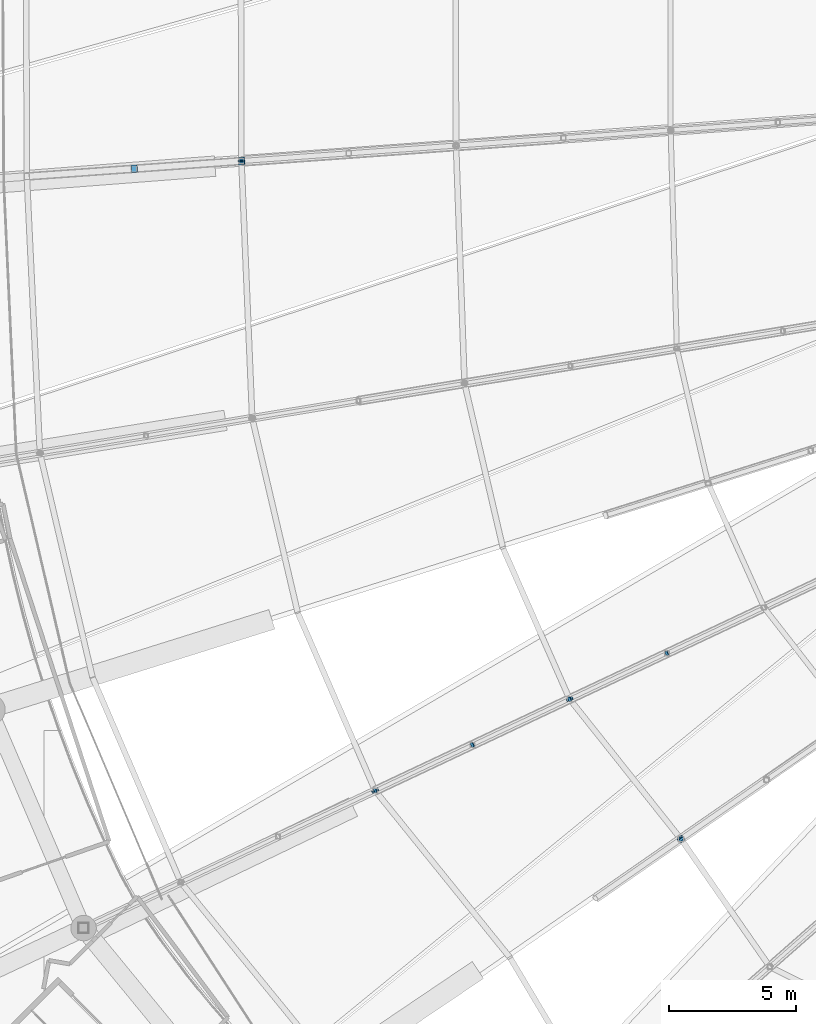
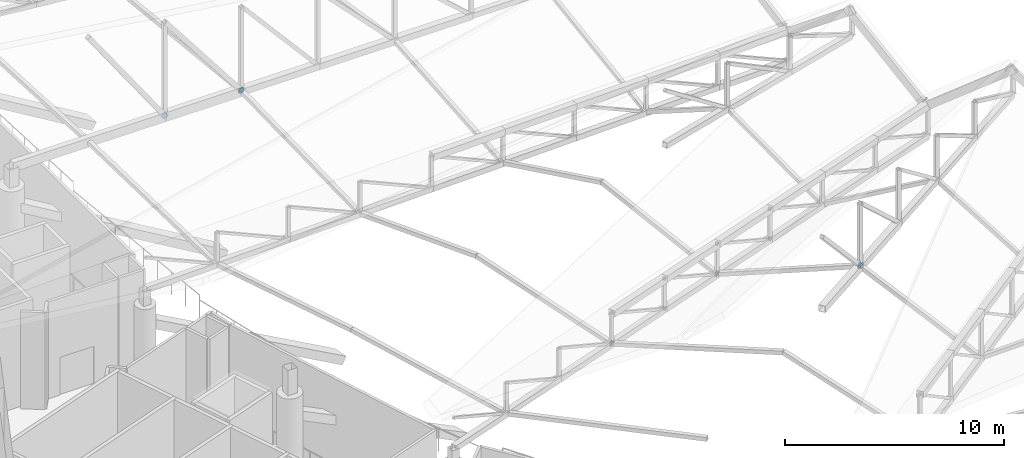
# One storey, part 280 of 344: 18 discrete accessories.
"""IFC4 building model written with IfcOpenShell, lengths in metres."""

from ifc_helpers import new_model, si_unit, direction, frame, origin, origin_2d, place, context, subcontext, project, spatial, rectangle, extrude, material, material_profile, profile_set, type_object, element, save


model = new_model("IFC4")

# Units and contexts
model_context = context("Model", 3, precision=1e-05, world=origin(), true_north=direction((0.0, 1.0)))
body_context = subcontext(model_context, "Body", "Model", "MODEL_VIEW")
ifc_project = project(units=[si_unit("LENGTHUNIT", "METRE"), si_unit("AREAUNIT", "SQUARE_METRE"), si_unit("VOLUMEUNIT", "CUBIC_METRE"), si_unit("PLANEANGLEUNIT", "RADIAN"), si_unit("MASSUNIT", "GRAM", prefix="KILO")], contexts=[model_context])

# Site, building, storey
site_placement = place(None, origin())
site = spatial("IfcSite", under=ifc_project, at=site_placement, CompositionType="ELEMENT")
building_placement = place(site_placement, origin())
building = spatial("IfcBuilding", under=site, at=building_placement, Name="Meseta Stadium", CompositionType="ELEMENT")
storey_placement = place(building_placement, frame((0.0, 0.0, 24.0)))
storey = spatial("IfcBuildingStorey", under=building, at=storey_placement, Name="L04", CompositionType="ELEMENT", Elevation=24.0)

# Discrete accessories
ifc_material_1 = material(Name="Steel S355", Category="steel")
ifc_material_profile_1 = material_profile(ifc_material_1, rectangle(XDim=0.179931640625, YDim=0.179931640625, at=origin_2d()), Name="PL 180x180")
ifc_profile_set_1 = profile_set([ifc_material_profile_1], Name="Steel S355")
discrete_accessory_type_1 = type_object("IfcDiscreteAccessoryType", Name="End plate 180x180x20", PredefinedType="ANCHORPLATE", material=ifc_profile_set_1)
discrete_accessory_1_placement = place(storey_placement, frame((-55.553955078125, -60.97265625, 5.543701171875), z_axis=(-0.802836314561, -0.382891165406, 0.456999132904), x_axis=(0.430472524882, -0.902603681203, 0.0)))
element("IfcDiscreteAccessory", 1, at=discrete_accessory_1_placement, inside=storey, type_object=discrete_accessory_type_1, Name="End plate of ROOF TRUSS RT-39 diagonal", PredefinedType="ANCHORPLATE", context=body_context, shape_type="SweptSolid", body=[
    extrude(rectangle(XDim=0.179931640625, YDim=0.179931640625, at=origin_2d()), origin(), (0.0, 0.0, 1.0), 0.019775390625),
])
for number, where, z_axis, x_axis, name in (
    (2, (-55.537841796875, -60.965087890625, 3.85498046875), (-0.807162077407, -0.379121581812, 0.452499952486), (0.425136471467, -0.905129261834, 0.0), "End plate of ROOF TRUSS RT-39 diagonal"),
    (3, (-59.369140625, -62.769775390625, 6.030517578125), (-0.802672654344, -0.377012913404, 0.462144861592), (0.425136471467, -0.905129261834, 0.0), "End plate of ROOF TRUSS RT-39 diagonal"),
    (4, (-59.35302734375, -62.76220703125, 4.341796875), (-0.802672654344, -0.377012913404, 0.462144861592), (0.425136471467, -0.905129261834, 0.0), "End plate of ROOF TRUSS RT-39 diagonal"),
    (5, (-63.184326171875, -64.567138671875, 6.517578125), (-0.807162077407, -0.379121581812, 0.452499952486), (0.425136471467, -0.905129261834, 0.0), "End plate of ROOF TRUSS RT-39 diagonal"),
    (6, (-63.168212890625, -64.5595703125, 4.82861328125), (-0.802672654344, -0.377012913404, 0.462144861592), (0.425136471467, -0.905129261834, 0.0), "End plate of ROOF TRUSS RT-39 diagonal"),
    (7, (-66.983642578125, -66.356689453125, 5.315673828125), (-0.807162077407, -0.379121581812, 0.452499952486), (0.425136471467, -0.905129261834, 0.0), "End plate of ROOF TRUSS RT-39 diagonal"),
):
    element("IfcDiscreteAccessory", number, at=place(storey_placement, frame(where, z_axis=z_axis, x_axis=x_axis)), inside=storey, type_object=discrete_accessory_type_1, Name=name, PredefinedType="ANCHORPLATE", context=body_context, shape_type="SweptSolid", body=[
        extrude(rectangle(XDim=0.179931640625, YDim=0.179931640625, at=origin_2d()), origin(), (0.0, 0.0, 1.0), 0.02001953125),
    ])
ifc_material_2 = material(Name="Steel S355", Category="steel")
ifc_material_profile_2 = material_profile(ifc_material_2, rectangle(XDim=0.239990234375, YDim=0.239990234375, at=origin_2d()), Name="PL 240x240")
ifc_profile_set_2 = profile_set([ifc_material_profile_2], Name="Steel S355")
discrete_accessory_type_2 = type_object("IfcDiscreteAccessoryType", Name="End plate 240x240x20", PredefinedType="ANCHORPLATE", material=ifc_profile_set_2)
discrete_accessory_2_placement = place(storey_placement, frame((-54.988525390625, -68.255859375, 6.590087890625), z_axis=(-0.573597420318, -0.390534413834, 0.720047825506), x_axis=(0.562790977082, -0.826599247589, 0.0)))
element("IfcDiscreteAccessory", 8, at=discrete_accessory_2_placement, inside=storey, type_object=discrete_accessory_type_2, Name="End plate of ROOF TRUSS RT-40 diagonal", PredefinedType="ANCHORPLATE", context=body_context, shape_type="SweptSolid", body=[
    extrude(rectangle(XDim=0.239990234375, YDim=0.239990234375, at=origin_2d()), origin(), (0.0, 0.0, 1.0), 0.02001953125),
])
ifc_material_3 = material(Name="Steel S355", Category="steel")
ifc_material_profile_3 = material_profile(ifc_material_3, rectangle(XDim=0.260009765625, YDim=0.260009765625, at=origin_2d()), Name="PL 260x260")
ifc_profile_set_3 = profile_set([ifc_material_profile_3], Name="Steel S355")
discrete_accessory_type_3 = type_object("IfcDiscreteAccessoryType", Name="End plate 260x260x20", PredefinedType="ANCHORPLATE", material=ifc_profile_set_3)
discrete_accessory_3_placement = place(storey_placement, frame((-72.25, -41.65234375, 6.268798828125), z_axis=(0.0, -0.994030677348, 0.109100928002), x_axis=(1.0, 0.0, 0.0)))
element("IfcDiscreteAccessory", 9, at=discrete_accessory_3_placement, inside=storey, type_object=discrete_accessory_type_3, Name="End plate of ROOF TRUSS STRUT RT-35/36", PredefinedType="ANCHORPLATE", context=body_context, shape_type="SweptSolid", body=[
    extrude(rectangle(XDim=0.260009765625, YDim=0.260009765625, at=origin_2d()), origin(), (0.0, 0.0, 1.0), 0.02001953125),
])
discrete_accessory_4_placement = place(storey_placement, frame((-72.2509765625, -41.632568359375, 6.2705078125), z_axis=(0.049139900815, -0.995082991502, -0.085994826426), x_axis=(0.99878289929, 0.049322612311, 0.0)))
element("IfcDiscreteAccessory", 10, at=discrete_accessory_4_placement, inside=storey, type_object=discrete_accessory_type_3, Name="End plate of ROOF TRUSS STRUT RT-36/37", PredefinedType="ANCHORPLATE", context=body_context, shape_type="SweptSolid", body=[
    extrude(rectangle(XDim=0.260009765625, YDim=0.260009765625, at=origin_2d()), origin(), (0.0, 0.0, 1.0), 0.019775390625),
])
for number, where, z_axis, x_axis, name in (
    (11, (-59.369140625, -62.769775390625, 4.35107421875), (0.378668763996, -0.855058499345, -0.354238521157), (0.914349389647, 0.404926158272, 0.0), "End plate of ROOF TRUSS STRUT RT-38/39"),
    (12, (-66.999755859375, -66.3642578125, 5.32470703125), (0.391614974756, -0.893371661161, -0.2202834233), (0.915869154004, 0.401476889427, 0.0), "End plate of ROOF TRUSS STRUT RT-38/39"),
    (13, (-59.380859375, -62.7548828125, 4.344970703125), (0.588613765906, -0.748029994172, 0.306569669742), (0.785871084209, 0.618390361345, 0.0), "End plate of ROOF TRUSS STRUT RT-39/40"),
    (14, (-55.0, -68.263671875, 6.6044921875), (0.596541586591, -0.742633403715, 0.304357952342), (0.77962036012, 0.626252420424, 0.0), "End plate of ROOF TRUSS STRUT RT-39/40"),
):
    element("IfcDiscreteAccessory", number, at=place(storey_placement, frame(where, z_axis=z_axis, x_axis=x_axis)), inside=storey, type_object=discrete_accessory_type_3, Name=name, PredefinedType="ANCHORPLATE", context=body_context, shape_type="SweptSolid", body=[
        extrude(rectangle(XDim=0.260009765625, YDim=0.260009765625, at=origin_2d()), origin(), (0.0, 0.0, 1.0), 0.02001953125),
    ])
discrete_accessory_5_placement = place(storey_placement, frame((-67.011962890625, -66.34912109375, 5.32080078125), z_axis=(0.615457454897, -0.763167244072, 0.196946385567), x_axis=(0.778413039475, 0.62775245119, 0.0)))
element("IfcDiscreteAccessory", 15, at=discrete_accessory_5_placement, inside=storey, type_object=discrete_accessory_type_3, Name="End plate of ROOF TRUSS STRUT RT-39/40", PredefinedType="ANCHORPLATE", context=body_context, shape_type="SweptSolid", body=[
    extrude(rectangle(XDim=0.260009765625, YDim=0.260009765625, at=origin_2d()), origin(), (0.0, 0.0, 1.0), 0.019775390625),
])
discrete_accessory_6_placement = place(storey_placement, frame((-55.010009765625, -68.249267578125, 6.614013671875), z_axis=(0.501531397154, -0.721715912978, -0.477066450951), x_axis=(0.821188788729, 0.570656615896, 0.0)))
element("IfcDiscreteAccessory", 16, at=discrete_accessory_6_placement, inside=storey, type_object=discrete_accessory_type_3, Name="End plate of ROOF TRUSS STRUT RT-40/41", PredefinedType="ANCHORPLATE", context=body_context, shape_type="SweptSolid", body=[
    extrude(rectangle(XDim=0.260009765625, YDim=0.260009765625, at=origin_2d()), origin(), (0.0, 0.0, 1.0), 0.02001953125),
])
ifc_material_4 = material(Name="Steel S355", Category="steel")
ifc_material_profile_4 = material_profile(ifc_material_4, rectangle(XDim=0.2900390625, YDim=0.2900390625, at=origin_2d()), Name="PL 290x290")
ifc_profile_set_4 = profile_set([ifc_material_profile_4], Name="Steel S355")
discrete_accessory_type_4 = type_object("IfcDiscreteAccessoryType", Name="End plate 290x290x20", PredefinedType="ANCHORPLATE", material=ifc_profile_set_4)
discrete_accessory_7_placement = place(storey_placement, frame((-72.238037109375, -41.651611328125, 6.2529296875), z_axis=(-0.601555381629, -0.036829921324, 0.797981628691), x_axis=(0.06111006328, -0.998131033565, 0.0)))
element("IfcDiscreteAccessory", 17, at=discrete_accessory_7_placement, inside=storey, type_object=discrete_accessory_type_4, Name="End plate of ROOF TRUSS RT-36 diagonal", PredefinedType="ANCHORPLATE", context=body_context, shape_type="SweptSolid", body=[
    extrude(rectangle(XDim=0.2900390625, YDim=0.2900390625, at=origin_2d()), origin(), (0.0, 0.0, 1.0), 0.019775390625),
])
discrete_accessory_8_placement = place(storey_placement, frame((-76.449951171875, -41.95458984375, 6.504638671875), z_axis=(-0.573597420318, -0.048816801729, 0.817681428964), x_axis=(0.084799830401, -0.996398007206, 0.0)))
element("IfcDiscreteAccessory", 18, at=discrete_accessory_8_placement, inside=storey, type_object=discrete_accessory_type_4, Name="End plate of ROOF TRUSS RT-36 diagonal", PredefinedType="ANCHORPLATE", context=body_context, shape_type="SweptSolid", body=[
    extrude(rectangle(XDim=0.2900390625, YDim=0.2900390625, at=origin_2d()), origin(), (0.0, 0.0, 1.0), 0.02001953125),
])

save(model, "model.ifc")
